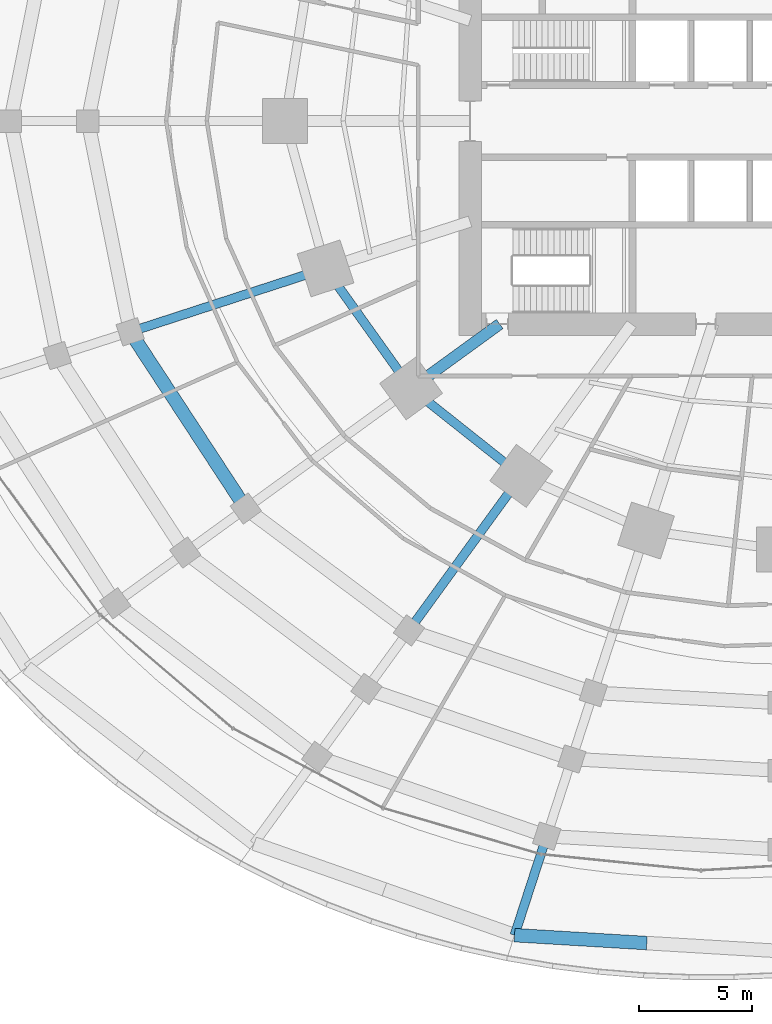
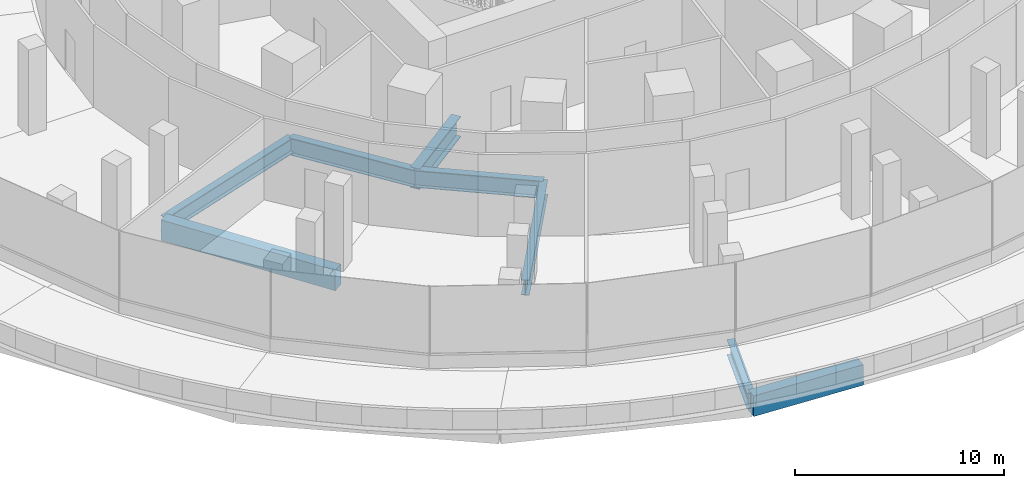
# One storey, part 4 of 31: 8 beams.
"""IFC4 building model written with IfcOpenShell, lengths in metres."""

from ifc_helpers import new_model, si_unit, direction, frame, origin, origin_2d, place, context, subcontext, project, spatial, rectangle, i_section, extrude, material, material_profile, profile_set, type_object, element, save


model = new_model("IFC4")

# Units and contexts
model_context = context("Model", 3, precision=1e-05, world=origin(), true_north=direction((0.0, 1.0)))
body_context = subcontext(model_context, "Body", "Model", "MODEL_VIEW")
ifc_project = project(units=[si_unit("LENGTHUNIT", "METRE"), si_unit("AREAUNIT", "SQUARE_METRE"), si_unit("VOLUMEUNIT", "CUBIC_METRE"), si_unit("PLANEANGLEUNIT", "RADIAN"), si_unit("MASSUNIT", "GRAM", prefix="KILO")], contexts=[model_context])

# Site, building, storey
site_placement = place(None, origin())
site = spatial("IfcSite", under=ifc_project, at=site_placement, CompositionType="ELEMENT")
building_placement = place(site_placement, origin())
building = spatial("IfcBuilding", under=site, at=building_placement, Name="Marramba Exchange Tower", CompositionType="ELEMENT")
storey_placement = place(building_placement, frame((0.0, 0.0, 5.60009765625)))
storey = spatial("IfcBuildingStorey", under=building, at=storey_placement, Name="L01", CompositionType="ELEMENT", Elevation=5.60009765625)

# Beams
ifc_material_1 = material(Name="Concrete N50", Category="concrete")
ifc_material_profile_1 = material_profile(ifc_material_1, rectangle(XDim=0.60009765625, YDim=1.199951171875, at=origin_2d()), Name="RC 600x1200")
ifc_profile_set_1 = profile_set([ifc_material_profile_1], Name="Concrete N50")
beam_type_1 = type_object("IfcBeamType", Name="Edge beam RC 600x1200 N50", PredefinedType="SPANDREL", material=ifc_profile_set_1)
beam_1_placement = place(storey_placement, frame((-11.728759765625, -36.097412109375, -0.85009765625), z_axis=(0.998210455825, -0.059798711375, 0.0), x_axis=(0.059798711375, 0.998210455825, 0.0)))
element("IfcBeam", 1, at=beam_1_placement, inside=storey, type_object=beam_type_1, Name="Edge beam L01 P0C15 half 1", PredefinedType="SPANDREL", context=body_context, shape_type="SweptSolid", body=[
    extrude(rectangle(XDim=0.60009765625, YDim=1.199951171875, at=origin_2d()), origin(), (0.0, 0.0, 1.0), 5.875),
])
beam_2_placement = place(storey_placement, frame((-28.770263671875, -9.34814453125, -0.800048828125), z_axis=(0.547649213564, -0.836708036822, 0.0), x_axis=(0.836708036822, 0.547649213564, 0.0)))
element("IfcBeam", 2, at=beam_2_placement, inside=storey, type_object=beam_type_1, Name="Edge beam L01 P3C12", PredefinedType="SPANDREL", context=body_context, shape_type="SweptSolid", body=[
    extrude(rectangle(XDim=0.60009765625, YDim=1.199951171875, at=origin_2d()), origin(), (0.0, 0.0, 1.0), 9.359130859375),
])
ifc_material_2 = material(Name="Steel AS/NZS 3679.2 grade 300", Category="steel")
ifc_material_profile_2 = material_profile(ifc_material_2, i_section(OverallWidth=0.5, OverallDepth=1.199951171875, WebThickness=0.01611328125, FlangeThickness=0.0400390625, at=origin_2d()), Name="1200WB455")
ifc_profile_set_2 = profile_set([ifc_material_profile_2], Name="Steel AS/NZS 3679.2 grade 300")
beam_type_2 = type_object("IfcBeamType", Name="Radial girder 1200WB455", PredefinedType="BEAM", material=ifc_profile_set_2)
beam_3_placement = place(storey_placement, frame((-12.387451171875, -9.0, -0.800048828125), z_axis=(-0.809025189606, -0.58777397236, 0.0), x_axis=(0.58777397236, -0.809025189606, 0.0)))
element("IfcBeam", 3, at=beam_3_placement, inside=storey, type_object=beam_type_2, Name="Radial girder L01 TC13", PredefinedType="BEAM", context=body_context, shape_type="SweptSolid", body=[
    extrude(i_section(OverallWidth=0.5, OverallDepth=1.199951171875, WebThickness=0.01611328125, FlangeThickness=0.0400390625, at=origin_2d()), origin(), (0.0, 0.0, 1.0), 4.855224609375),
])
ifc_material_profile_3 = material_profile(ifc_material_2, i_section(OverallWidth=0.39990234375, OverallDepth=0.89990234375, WebThickness=0.01611328125, FlangeThickness=0.031982421875, at=origin_2d()), Name="900WB282")
ifc_profile_set_3 = profile_set([ifc_material_profile_3], Name="Steel AS/NZS 3679.2 grade 300")
beam_type_3 = type_object("IfcBeamType", Name="Radial girder 900WB282", PredefinedType="BEAM", material=ifc_profile_set_3)
beam_4_placement = place(storey_placement, frame((-11.728759765625, -36.097412109375, -0.7001953125), z_axis=(0.309016723837, 0.951056604198, 0.0), x_axis=(-0.951056604198, 0.309016723837, 0.0)))
element("IfcBeam", 4, at=beam_4_placement, inside=storey, type_object=beam_type_3, Name="Radial girder L01 P0C15", PredefinedType="BEAM", context=body_context, shape_type="SweptSolid", body=[
    extrude(i_section(OverallWidth=0.39990234375, OverallDepth=0.89990234375, WebThickness=0.01611328125, FlangeThickness=0.031982421875, at=origin_2d()), origin(), (0.0, 0.0, 1.0), 4.6171875),
])
beam_5_placement = place(storey_placement, frame((-28.770263671875, -9.34814453125, -0.650146484375), z_axis=(0.951052783345, 0.309028482977, 0.0), x_axis=(-0.309028482977, 0.951052783345, 0.0)))
element("IfcBeam", 5, at=beam_5_placement, inside=storey, type_object=beam_type_3, Name="Radial girder L01 P3C12", PredefinedType="BEAM", context=body_context, shape_type="SweptSolid", body=[
    extrude(i_section(OverallWidth=0.39990234375, OverallDepth=0.89990234375, WebThickness=0.01611328125, FlangeThickness=0.031982421875, at=origin_2d()), origin(), (0.0, 0.0, 1.0), 9.106689453125),
])
beam_6_placement = place(storey_placement, frame((-16.40869140625, -22.58447265625, -0.650146484375), z_axis=(0.58779626967, 0.809008989667, 0.0), x_axis=(-0.809008989667, 0.58779626967, 0.0)))
element("IfcBeam", 6, at=beam_6_placement, inside=storey, type_object=beam_type_3, Name="Radial girder L01 P3C14", PredefinedType="BEAM", context=body_context, shape_type="SweptSolid", body=[
    extrude(i_section(OverallWidth=0.39990234375, OverallDepth=0.89990234375, WebThickness=0.01611328125, FlangeThickness=0.031982421875, at=origin_2d()), origin(), (0.0, 0.0, 1.0), 8.469482421875),
])
ifc_material_profile_4 = material_profile(ifc_material_2, i_section(OverallWidth=0.39990234375, OverallDepth=1.0, WebThickness=0.01611328125, FlangeThickness=0.031982421875, at=origin_2d()), Name="1000WB322")
ifc_profile_set_4 = profile_set([ifc_material_profile_4], Name="Steel AS/NZS 3679.2 grade 300")
beam_type_4 = type_object("IfcBeamType", Name="Ring beam 1000WB322", PredefinedType="SPANDREL", material=ifc_profile_set_4)
beam_7_placement = place(storey_placement, frame((-20.109375, -6.533935546875, -0.7001953125), z_axis=(0.580637181111, -0.814162430914, 0.0), x_axis=(0.814162430914, 0.580637181111, 0.0)))
element("IfcBeam", 7, at=beam_7_placement, inside=storey, type_object=beam_type_4, Name="Ring beam L01 TC12-TC13", PredefinedType="SPANDREL", context=body_context, shape_type="SweptSolid", body=[
    extrude(i_section(OverallWidth=0.39990234375, OverallDepth=1.0, WebThickness=0.01611328125, FlangeThickness=0.031982421875, at=origin_2d()), origin(), (0.0, 0.0, 1.0), 6.5341796875),
])
beam_8_placement = place(storey_placement, frame((-16.3154296875, -11.853759765625, -0.7001953125), z_axis=(0.783139438128, -0.621846138887, 0.0), x_axis=(0.621846138887, 0.783139438128, 0.0)))
element("IfcBeam", 8, at=beam_8_placement, inside=storey, type_object=beam_type_4, Name="Ring beam L01 TC13-TC14", PredefinedType="SPANDREL", context=body_context, shape_type="SweptSolid", body=[
    extrude(i_section(OverallWidth=0.39990234375, OverallDepth=1.0, WebThickness=0.01611328125, FlangeThickness=0.031982421875, at=origin_2d()), origin(), (0.0, 0.0, 1.0), 6.23779296875),
])

save(model, "model.ifc")
